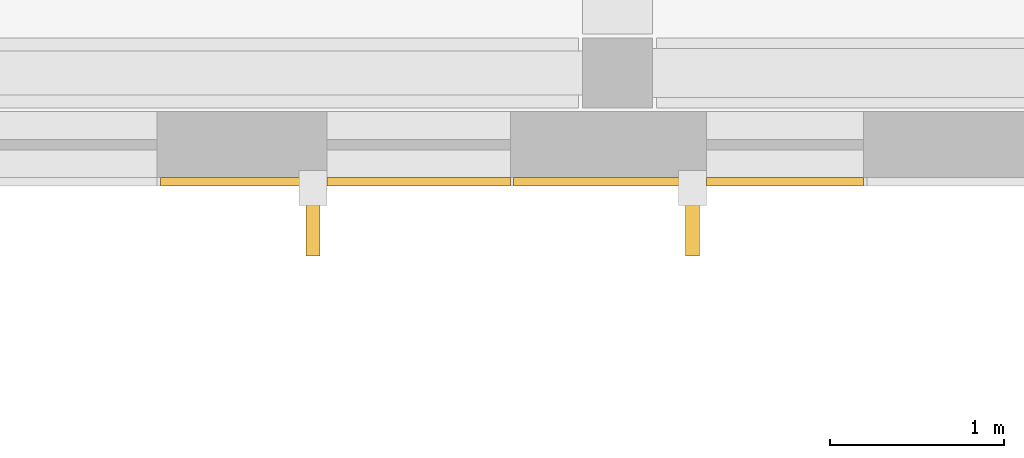
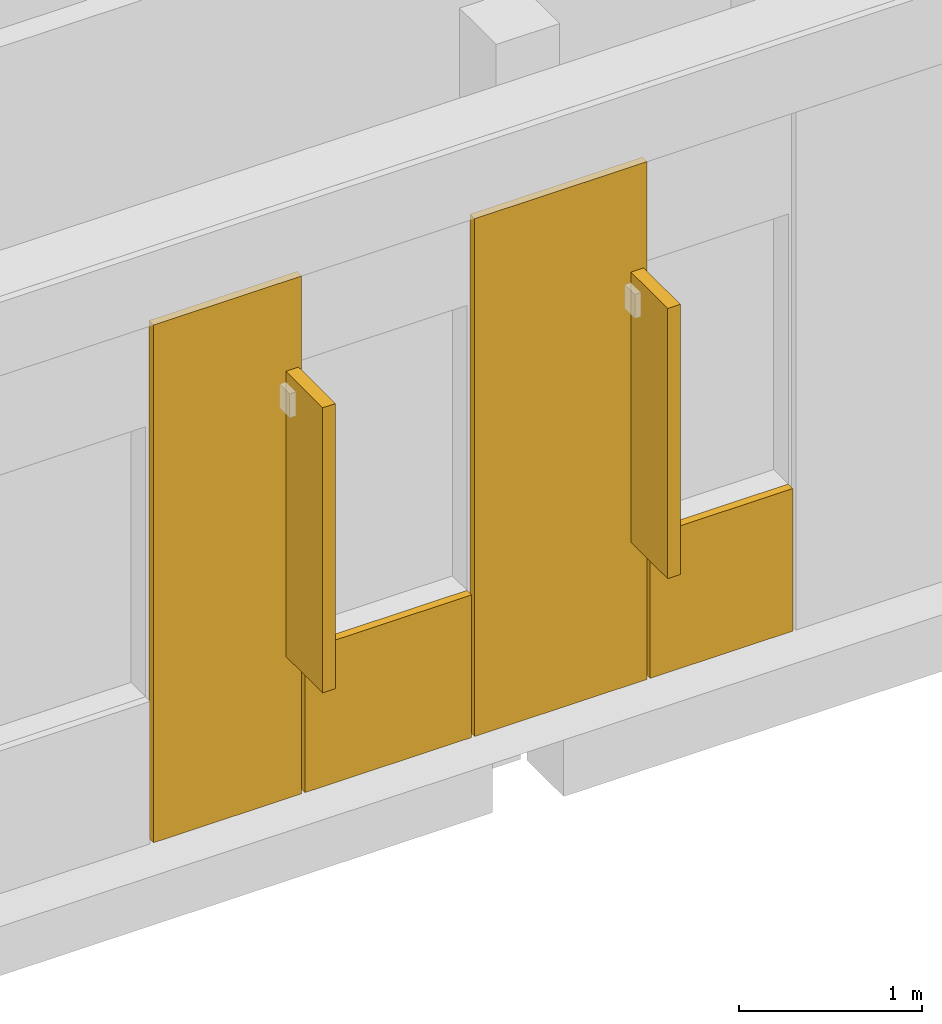
# One storey, part 58 of 73: 4 coverings, 2 shading devices.
"""IFC4 building model written with IfcOpenShell, lengths in metres."""

import ifcopenshell
import ifcopenshell.guid

model = None  # the IFC model being written
_history = None  # IfcOwnerHistory: only IFC2X3 demands one
_inside = {}  # id of a spatial element -> (the spatial element, [elements in it])
_under = {}  # id of a project, library or spatial element -> (it, [spatial elements below it])
_declared = {}  # id of a project -> (the project, [libraries it declares])
_typed = {}  # id of a type object -> (the type object, [elements of that type])
_made_of = {}  # id of a material, layer set ... -> (it, [elements and type objects made of it])


def new_model(schema):
    """Start an empty IFC model of exactly this schema.

    Asked for "IFC4X3", IfcOpenShell would pick the latest addendum, in which some entities
    have other attributes; the version numbers below select the first issue.
    IFC2X3 requires an IfcOwnerHistory on every rooted entity: one is made here for all.
    """
    global model, _history
    if schema == "IFC4X3":
        model = ifcopenshell.file(schema_version=(4, 3, 0, 0))
    else:
        model = ifcopenshell.file(schema=schema)
    _inside.clear()
    _under.clear()
    _declared.clear()
    _typed.clear()
    _made_of.clear()
    _history = None
    if model.schema == "IFC2X3":
        org = make("IfcOrganization", Name="unknown")
        user = make(
            "IfcPersonAndOrganization",
            ThePerson=make("IfcPerson", FamilyName="unknown"),
            TheOrganization=org,
        )
        app = make(
            "IfcApplication",
            ApplicationDeveloper=org,
            Version="unknown",
            ApplicationFullName="unknown",
            ApplicationIdentifier="unknown",
        )
        _history = make(
            "IfcOwnerHistory",
            OwningUser=user,
            OwningApplication=app,
            ChangeAction="ADDED",
            CreationDate=0,
        )
    return model


def make(cls, **values):
    """One entity of the class cls with the attributes given. An attribute that is None is left unset."""
    return model.create_entity(
        cls, **{name: value for name, value in values.items() if value is not None}
    )


def rooted(cls, **values):
    """An entity with a GlobalId (a new one), such as an element, a storey or a relation."""
    return make(cls, GlobalId=ifcopenshell.guid.new(), OwnerHistory=_history, **values)


def si_unit(unit_type, name, prefix=None):
    """IfcSIUnit, for example si_unit("LENGTHUNIT", "METRE", prefix="MILLI")."""
    return make("IfcSIUnit", UnitType=unit_type, Prefix=prefix, Name=name)


def assignment(units):
    """IfcUnitAssignment: the units of a project."""
    return None if units is None else make("IfcUnitAssignment", Units=units)


def point(xyz):
    """IfcCartesianPoint."""
    return None if xyz is None else make("IfcCartesianPoint", Coordinates=xyz)


def direction(xyz):
    """IfcDirection."""
    return None if xyz is None else make("IfcDirection", DirectionRatios=xyz)


def frame(location, z_axis=None, x_axis=None):
    """IfcAxis2Placement3D, a coordinate frame: its origin and axes. An axis left out is left unset."""
    return make(
        "IfcAxis2Placement3D",
        Location=point(location),
        Axis=direction(z_axis),
        RefDirection=direction(x_axis),
    )


def frame_2d(location, x_axis=None):
    """IfcAxis2Placement2D, a coordinate frame in the plane: its origin and x axis."""
    return make(
        "IfcAxis2Placement2D", Location=point(location), RefDirection=direction(x_axis)
    )


def origin():
    """The frame at (0, 0, 0) with its axes left unset."""
    return frame((0.0, 0.0, 0.0))


def origin_2d():
    """The frame at (0, 0) in the plane with its x axis left unset."""
    return frame_2d((0.0, 0.0))


def place(relative_to, where):
    """IfcLocalPlacement: puts the frame where relative to a parent placement (None: the world)."""
    return make(
        "IfcLocalPlacement", PlacementRelTo=relative_to, RelativePlacement=where
    )


def context(
    kind, dimensions, precision=None, world=None, true_north=None, identifier=None
):
    """IfcGeometricRepresentationContext, for example the 3D "Model" context."""
    return make(
        "IfcGeometricRepresentationContext",
        ContextIdentifier=identifier,
        ContextType=kind,
        CoordinateSpaceDimension=dimensions,
        Precision=precision,
        WorldCoordinateSystem=world,
        TrueNorth=true_north,
    )


def subcontext(parent, identifier, kind, view, scale=None):
    """IfcGeometricRepresentationSubContext, for example "Body" below "Model"."""
    return make(
        "IfcGeometricRepresentationSubContext",
        ContextIdentifier=identifier,
        ContextType=kind,
        ParentContext=parent,
        TargetScale=scale,
        TargetView=view,
    )


def project(units=None, contexts=None):
    """IfcProject with its units and contexts."""
    return rooted(
        "IfcProject",
        Name="project",
        RepresentationContexts=contexts,
        UnitsInContext=assignment(units),
    )


def spatial(cls, under=None, at=None, **own):
    """A site, building, storey or space (cls), placed at a placement, below another one or the project."""
    s = rooted(cls, ObjectPlacement=at, **own)
    if under is not None:
        _under.setdefault(under.id(), (under, []))[1].append(s)
    return s


def profile(cls, at=None, kind="AREA", **sizes):
    """A parametric profile (cls). Its sizes go by their IFC names, for example OverallWidth=200.0."""
    return make(cls, ProfileType=kind, Position=at, **sizes)


def rectangle(**sizes):
    """IfcRectangleProfileDef."""
    return profile("IfcRectangleProfileDef", **sizes)


def extrude(swept, where, along, depth):
    """IfcExtrudedAreaSolid: the profile swept, set in the frame where, extruded along a direction by depth."""
    return make(
        "IfcExtrudedAreaSolid",
        SweptArea=swept,
        Position=where,
        ExtrudedDirection=direction(along),
        Depth=depth,
    )


def shape(context_of_items, identifier, shape_type, items):
    """IfcShapeRepresentation: the items that make up one representation, for example the "Body"."""
    return make(
        "IfcShapeRepresentation",
        ContextOfItems=context_of_items,
        RepresentationIdentifier=identifier,
        RepresentationType=shape_type,
        Items=items,
    )


def material(Name=None, Category=None):
    """IfcMaterial."""
    return make("IfcMaterial", Name=Name, Category=Category)


def layer(
    of_material, thickness, ventilated=None, Name=None, Category=None, Priority=None
):
    """IfcMaterialLayer: one layer of a wall or slab, of a material (None: an air gap)."""
    return make(
        "IfcMaterialLayer",
        Material=of_material,
        LayerThickness=thickness,
        IsVentilated=ventilated,
        Name=Name,
        Category=Category,
        Priority=Priority,
    )


def layer_set(layers, Name=None):
    """IfcMaterialLayerSet."""
    return make("IfcMaterialLayerSet", MaterialLayers=layers, LayerSetName=Name)


def made_of(thing, what):
    """Note that an element or type object is made of a material, layer set ...; save() writes the relation."""
    if what is not None:
        _made_of.setdefault(what.id(), (what, []))[1].append(thing)
    return thing


def type_object(cls, material=None, **own):
    """A type object (cls), such as IfcWallType, which elements share."""
    return made_of(rooted(cls, **own), material)


def element(
    cls,
    number,
    at=None,
    inside=None,
    cuts=None,
    type_object=None,
    material=None,
    context=None,
    identifier="Body",
    shape_type=None,
    held_by="IfcProductDefinitionShape",
    body=None,
    shapes=None,
    **own,
):
    """One element of the class cls, such as IfcWall. Its Tag is "e" and its number.

    at: its placement. inside: the storey or other place that contains it. cuts: it is an
    opening in that element (IfcRelVoidsElement). A single representation is given by context,
    identifier, shape_type and body (its items); several are given by shapes. held_by: the class
    of the entity that holds the representations. save() writes the other relations.
    """
    e = rooted(cls, Tag="e%d" % number, ObjectPlacement=at, **own)
    if body is not None:
        shapes = [shape(context, identifier, shape_type, body)]
    if shapes is not None:
        e.Representation = make(held_by, Representations=shapes)
    if inside is not None:
        _inside.setdefault(inside.id(), (inside, []))[1].append(e)
    if cuts is not None:
        rooted(
            "IfcRelVoidsElement", RelatingBuildingElement=cuts, RelatedOpeningElement=e
        )
    if type_object is not None:
        _typed.setdefault(type_object.id(), (type_object, []))[1].append(e)
    return made_of(e, material)


def aggregate(whole, parts):
    """IfcRelAggregates: a whole, such as a stair, and the parts it consists of."""
    return rooted("IfcRelAggregates", RelatingObject=whole, RelatedObjects=parts)


def save(model, path):
    """Write the relations noted so far, then the file.

    IfcRelAggregates (storeys below a building ...), IfcRelContainedInSpatialStructure (elements
    in a storey), IfcRelDefinesByType, IfcRelAssociatesMaterial and IfcRelDeclares: one each for
    every whole, place, type object, material and project.
    """
    for whole, parts in _under.values():
        aggregate(whole, parts)
    for where, things in _inside.values():
        rooted(
            "IfcRelContainedInSpatialStructure",
            RelatedElements=things,
            RelatingStructure=where,
        )
    for kind, things in _typed.values():
        rooted("IfcRelDefinesByType", RelatedObjects=things, RelatingType=kind)
    for what, things in _made_of.values():
        rooted("IfcRelAssociatesMaterial", RelatedObjects=things, RelatingMaterial=what)
    for by, libraries in _declared.values():
        rooted("IfcRelDeclares", RelatingContext=by, RelatedDefinitions=libraries)
    model.write(path)


model = new_model("IFC4")

# Units and contexts
model_context = context("Model", 3, precision=1e-05, world=origin(), true_north=direction((0.0, 1.0)))
body_context = subcontext(model_context, "Body", "Model", "MODEL_VIEW")
ifc_project = project(units=[si_unit("LENGTHUNIT", "METRE"), si_unit("AREAUNIT", "SQUARE_METRE"), si_unit("VOLUMEUNIT", "CUBIC_METRE"), si_unit("PLANEANGLEUNIT", "RADIAN"), si_unit("MASSUNIT", "GRAM", prefix="KILO")], contexts=[model_context])

# Site, building, storey
site_placement = place(None, origin())
site = spatial("IfcSite", under=ifc_project, at=site_placement, CompositionType="ELEMENT")
building_placement = place(site_placement, origin())
building = spatial("IfcBuilding", under=site, at=building_placement, Name="Mzevani Central Library", CompositionType="ELEMENT")
storey_placement = place(building_placement, frame((0.0, 0.0, 9.60009765625)))
storey = spatial("IfcBuildingStorey", under=building, at=storey_placement, Name="L02", CompositionType="ELEMENT", Elevation=9.60009765625)

# Shading devices
ifc_material_1 = material(Name="Anodized architectural bronze")
shading_device_type = type_object("IfcShadingDeviceType", Name="Anodized Bronze Vertical Sun-Breaker Fin", PredefinedType="USERDEFINED", material=ifc_material_1)
shading_device_1_placement = place(storey_placement, frame((102.830078125, 42.27490234375, 0.94970703125), z_axis=(0.0, 0.0, 1.0), x_axis=(-1.0, 0.0, 0.0)))
element("IfcShadingDevice", 1, at=shading_device_1_placement, inside=storey, type_object=shading_device_type, Name="L02 V1 Solar Fin (95)", ObjectType="SOLAR FIN", PredefinedType="USERDEFINED", context=body_context, shape_type="SweptSolid", body=[
    extrude(rectangle(XDim=0.080078125, YDim=0.449951171875, at=origin_2d()), origin(), (0.0, 0.0, 1.0), 1.800048828125),
])
shading_device_2_placement = place(storey_placement, frame((100.655029296875, 42.27490234375, 0.949951171875), z_axis=(0.0, 0.0, 1.0), x_axis=(-1.0, 0.0, 0.0)))
element("IfcShadingDevice", 2, at=shading_device_2_placement, inside=storey, type_object=shading_device_type, Name="L02 V1 Solar Fin (96)", ObjectType="SOLAR FIN", PredefinedType="USERDEFINED", context=body_context, shape_type="SweptSolid", body=[
    extrude(rectangle(XDim=0.080078125, YDim=0.449951171875, at=origin_2d()), origin(), (0.0, 0.0, 1.0), 1.89990234375),
])

# Coverings
ifc_material_2 = material(Name="Limestone ashlar cladding", Category="masonry")
ifc_layer = layer(ifc_material_2, 0.050048828125, Name="Limestone Ashlar Spandrel Cladding")
ifc_layer_set = layer_set([ifc_layer], Name="Limestone ashlar cladding")
covering_type = type_object("IfcCoveringType", Name="Limestone Ashlar Spandrel Cladding", PredefinedType="CLADDING", material=ifc_layer_set)
covering_1_placement = place(storey_placement, frame((103.360107421875, 42.47607421875, 0.0), z_axis=(0.0, 0.0, 1.0), x_axis=(-1.0, 0.0, 0.0)))
element("IfcCovering", 3, at=covering_1_placement, inside=storey, type_object=covering_type, Name="L02 Warm-White Sill Cladding 31 (EW4-V1-L02-0011)", PredefinedType="CLADDING", context=body_context, shape_type="SweptSolid", body=[
    extrude(rectangle(XDim=0.89990234375, YDim=0.050048828125, at=origin_2d()), origin(), (0.0, 0.0, 1.0), 0.949951171875),
])
covering_2_placement = place(storey_placement, frame((102.347412109375, 42.47607421875, 0.0), z_axis=(0.0, 0.0, 1.0), x_axis=(-1.0, 0.0, 0.0)))
element("IfcCovering", 4, at=covering_2_placement, inside=storey, type_object=covering_type, Name="L02 Warm-White Facade Pier 32 (EW4-V1-L02-0011)", PredefinedType="CLADDING", context=body_context, shape_type="SweptSolid", body=[
    extrude(rectangle(XDim=1.0849609375, YDim=0.050048828125, at=origin_2d()), origin(), (0.0, 0.0, 1.0), 3.449951171875),
])
covering_3_placement = place(storey_placement, frame((101.260009765625, 42.47607421875, 0.0), z_axis=(0.0, 0.0, 1.0), x_axis=(-1.0, 0.0, 0.0)))
element("IfcCovering", 5, at=covering_3_placement, inside=storey, type_object=covering_type, Name="L02 Warm-White Sill Cladding 33 (EW4-V1-L02-0011)", PredefinedType="CLADDING", context=body_context, shape_type="SweptSolid", body=[
    extrude(rectangle(XDim=1.050048828125, YDim=0.050048828125, at=origin_2d()), origin(), (0.0, 0.0, 1.0), 0.949951171875),
])
covering_4_placement = place(storey_placement, frame((100.24755859375, 42.47607421875, 0.0), z_axis=(0.0, 0.0, 1.0), x_axis=(-1.0, 0.0, 0.0)))
element("IfcCovering", 6, at=covering_4_placement, inside=storey, type_object=covering_type, Name="L02 Warm-White Facade Pier 34 (EW4-V1-L02-0011)", PredefinedType="CLADDING", context=body_context, shape_type="SweptSolid", body=[
    extrude(rectangle(XDim=0.93505859375, YDim=0.050048828125, at=origin_2d()), origin(), (0.0, 0.0, 1.0), 3.449951171875),
])

save(model, "model.ifc")
